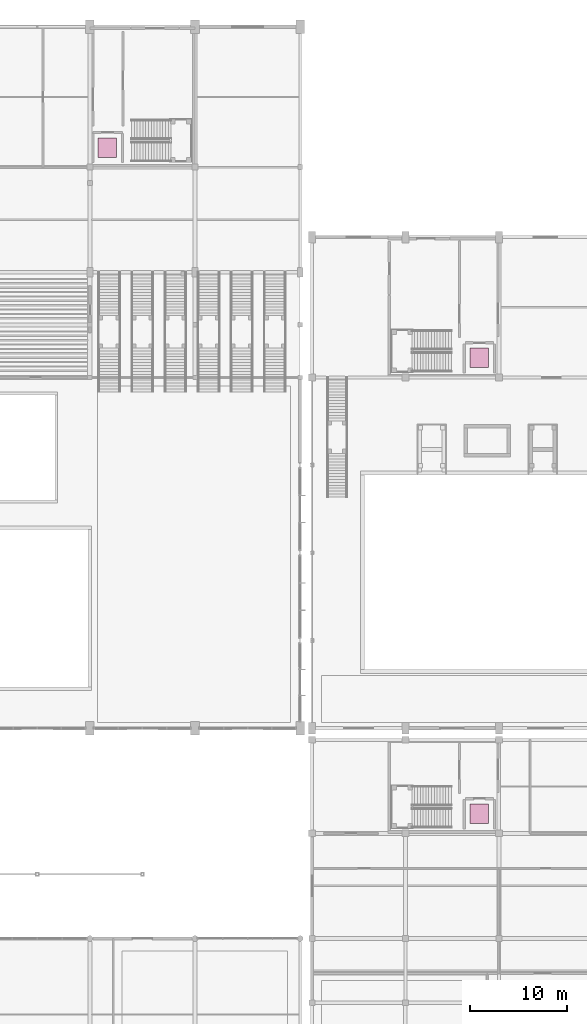
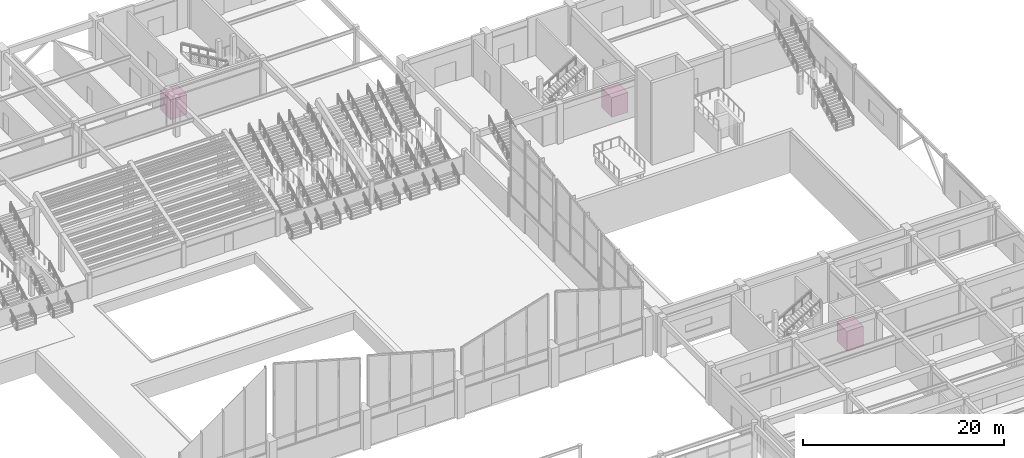
# One storey, part 82 of 82: 3 transport elements.
"""IFC4 building model written with IfcOpenShell, lengths in metres."""

from ifc_helpers import new_model, si_unit, direction, frame, origin, origin_2d, place, context, subcontext, project, spatial, rectangle, extrude, material, type_object, element, save


model = new_model("IFC4")

# Units and contexts
model_context = context("Model", 3, precision=1e-05, world=origin(), true_north=direction((0.0, 1.0)))
body_context = subcontext(model_context, "Body", "Model", "MODEL_VIEW")
ifc_project = project(units=[si_unit("LENGTHUNIT", "METRE"), si_unit("AREAUNIT", "SQUARE_METRE"), si_unit("VOLUMEUNIT", "CUBIC_METRE"), si_unit("PLANEANGLEUNIT", "RADIAN"), si_unit("MASSUNIT", "GRAM", prefix="KILO")], contexts=[model_context])

# Site, building, storey
site_placement = place(None, origin())
site = spatial("IfcSite", under=ifc_project, at=site_placement, CompositionType="ELEMENT")
building_placement = place(site_placement, origin())
building = spatial("IfcBuilding", under=site, at=building_placement, Name="Suirenkawa Promenade Aquatics Centre", CompositionType="ELEMENT")
storey_placement = place(building_placement, origin())
storey = spatial("IfcBuildingStorey", under=building, at=storey_placement, Name="L00", CompositionType="ELEMENT", Elevation=0.0)

# Transport elements
ifc_material = material(Name="Marine-grade stainless steel Grade 316L", Category="steel")
transport_element_type_1 = type_object("IfcTransportElementType", Name="LFT-PASS-2", PredefinedType="ELEVATOR", material=ifc_material)
transport_element_1_placement = place(storey_placement, frame((135.0, 110.0, 0.0), z_axis=(0.0, 0.0, 1.0), x_axis=(1.0, 0.0, 0.0)))
element("IfcTransportElement", 1, at=transport_element_1_placement, inside=storey, type_object=transport_element_type_1, Name="Passenger lift LF-P2", PredefinedType="ELEVATOR", context=body_context, shape_type="SweptSolid", body=[
    extrude(rectangle(XDim=1.89990234375, YDim=2.0, at=origin_2d()), origin(), (0.0, 0.0, 1.0), 2.39990234375),
])
transport_element_type_2 = type_object("IfcTransportElementType", Name="LFT-PASS-3", PredefinedType="ELEVATOR", material=ifc_material)
transport_element_2_placement = place(storey_placement, frame((173.199951171875, 88.39990234375, 0.0), z_axis=(0.0, 0.0, 1.0), x_axis=(1.0, 0.0, 0.0)))
element("IfcTransportElement", 2, at=transport_element_2_placement, inside=storey, type_object=transport_element_type_2, Name="Passenger lift LF-P3", PredefinedType="ELEVATOR", context=body_context, shape_type="SweptSolid", body=[
    extrude(rectangle(XDim=1.89990234375, YDim=2.0, at=origin_2d()), origin(), (0.0, 0.0, 1.0), 2.39990234375),
])
transport_element_type_3 = type_object("IfcTransportElementType", Name="LFT-PASS-4", PredefinedType="ELEVATOR", material=ifc_material)
transport_element_3_placement = place(storey_placement, frame((173.199951171875, 41.60009765625, 0.0), z_axis=(0.0, 0.0, 1.0), x_axis=(1.0, 0.0, 0.0)))
element("IfcTransportElement", 3, at=transport_element_3_placement, inside=storey, type_object=transport_element_type_3, Name="Passenger lift LF-P4", PredefinedType="ELEVATOR", context=body_context, shape_type="SweptSolid", body=[
    extrude(rectangle(XDim=1.89990234375, YDim=2.0, at=origin_2d()), origin(), (0.0, 0.0, 1.0), 2.39990234375),
])

save(model, "model.ifc")
